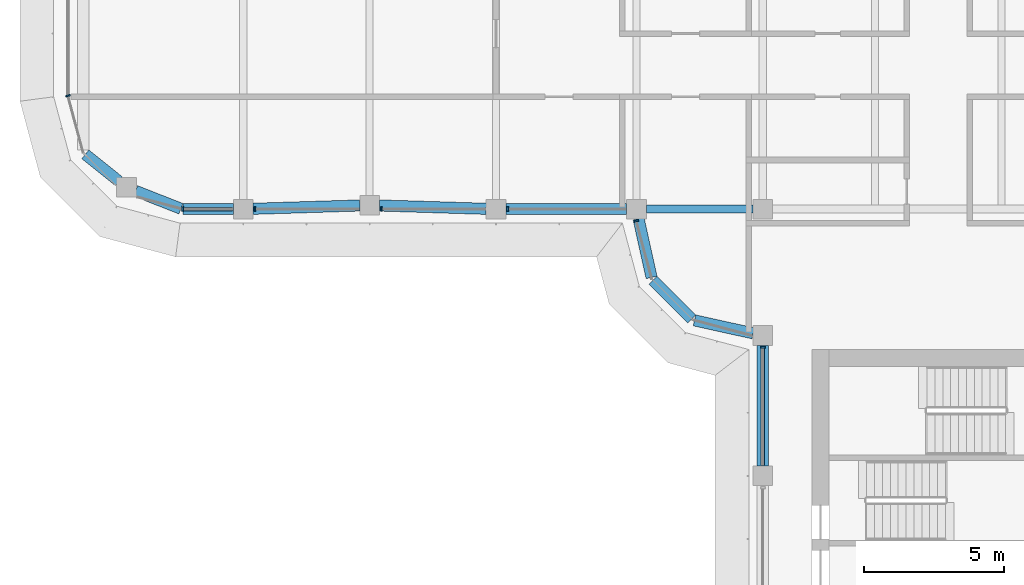
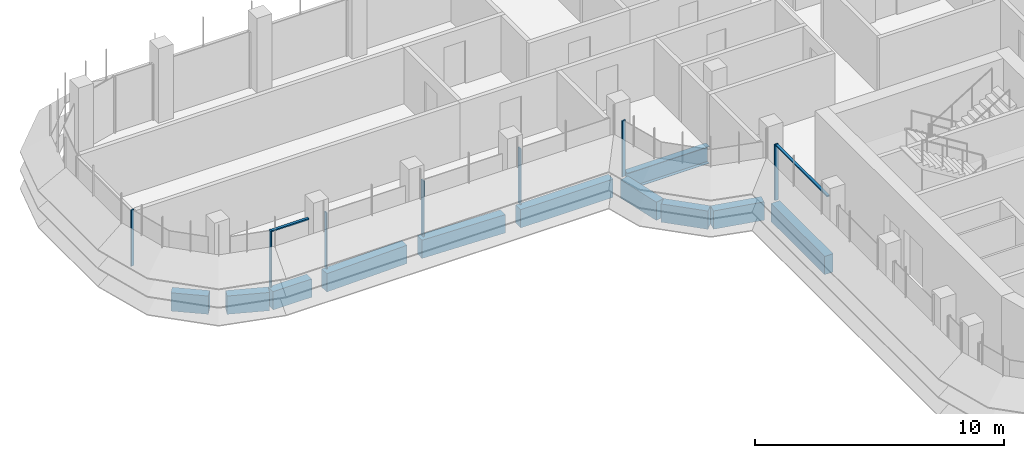
# One storey, part 3 of 19: 11 beams, 9 members, 4 elements without a shape of their own.
"""IFC4 building model written with IfcOpenShell, lengths in metres."""

from ifc_helpers import new_model, si_unit, direction, frame, origin, origin_2d, place, context, subcontext, project, spatial, polyline, rectangle, i_section, outline, extrude, source, transform, mapped, material, material_profile, profile_set, type_object, element, aggregate, save


model = new_model("IFC4")

# Units and contexts
model_context = context("Model", 3, precision=1e-05, world=origin(), true_north=direction((0.0, 1.0)))
body_context = subcontext(model_context, "Body", "Model", "MODEL_VIEW")
ifc_project = project(units=[si_unit("LENGTHUNIT", "METRE"), si_unit("AREAUNIT", "SQUARE_METRE"), si_unit("VOLUMEUNIT", "CUBIC_METRE"), si_unit("PLANEANGLEUNIT", "RADIAN"), si_unit("MASSUNIT", "GRAM", prefix="KILO")], contexts=[model_context])

# Site, building, storey
site_placement = place(None, origin())
site = spatial("IfcSite", under=ifc_project, at=site_placement, CompositionType="ELEMENT")
building_placement = place(site_placement, origin())
building = spatial("IfcBuilding", under=site, at=building_placement, Name="Zarbagh Exchange Tower", CompositionType="ELEMENT")
storey_placement = place(building_placement, frame((0.0, 0.0, 195.39990234375)))
storey = spatial("IfcBuildingStorey", under=building, at=storey_placement, Name="L47", CompositionType="ELEMENT", Elevation=195.39990234375)

# Beams
ifc_material_1 = material(Name="Steel ASTM A992 Gr 50", Category="steel")
ifc_material_profile_1 = material_profile(ifc_material_1, i_section(OverallWidth=0.2919921875, OverallDepth=0.835693359375, WebThickness=0.013916015625, FlangeThickness=0.018798828125, at=origin_2d()), Name="W33X118")
ifc_profile_set_1 = profile_set([ifc_material_profile_1], Name="Steel ASTM A992 Gr 50")
beam_type_1 = type_object("IfcBeamType", Name="Floor girder W33X118", PredefinedType="BEAM", material=ifc_profile_set_1)
beam_1_placement = place(storey_placement, frame((-10.39990234375, -6.25, -0.567626953125), z_axis=(1.0, 0.0, 0.0), x_axis=(0.0, 1.0, 0.0)))
element("IfcBeam", 1, at=beam_1_placement, inside=storey, type_object=beam_type_1, Name="Steel girder", PredefinedType="BEAM", context=body_context, shape_type="SweptSolid", body=[
    extrude(i_section(OverallWidth=0.2919921875, OverallDepth=0.835693359375, WebThickness=0.013916015625, FlangeThickness=0.018798828125, at=origin_2d()), origin(), (0.0, 0.0, 1.0), 3.7998046875),
])
ifc_material_2 = material(Name="Concrete C50/60", Category="concrete")
ifc_material_profile_2 = material_profile(ifc_material_2, rectangle(XDim=0.39990234375, YDim=0.89990234375, at=origin_2d()), Name="RC spandrel beam 400 x 900 C50/60")
ifc_profile_set_2 = profile_set([ifc_material_profile_2], Name="Concrete C50/60")
beam_type_2 = type_object("IfcBeamType", Name="RC spandrel beam 400 x 900 C50/60", PredefinedType="SPANDREL", material=ifc_profile_set_2)
beam_2_placement = place(storey_placement, frame((-6.25, -15.39990234375, -0.599853515625), z_axis=(0.0, 1.0, 0.0), x_axis=(-1.0, 0.0, 0.0)))
element("IfcBeam", 2, at=beam_2_placement, inside=storey, type_object=beam_type_2, Name="RC spandrel beam", PredefinedType="SPANDREL", context=body_context, shape_type="SweptSolid", body=[
    extrude(rectangle(XDim=0.39990234375, YDim=0.89990234375, at=origin_2d()), origin(), (0.0, 0.0, 1.0), 4.2998046875),
])
beam_3_placement = place(storey_placement, frame((-6.591796875, -10.67431640625, -0.599853515625), z_axis=(-0.97639036545, 0.216013551096, 0.0), x_axis=(-0.216013551096, -0.97639036545, 0.0)))
element("IfcBeam", 3, at=beam_3_placement, inside=storey, type_object=beam_type_2, Name="RC spandrel beam", PredefinedType="SPANDREL", context=body_context, shape_type="SweptSolid", body=[
    extrude(rectangle(XDim=0.39990234375, YDim=0.89990234375, at=origin_2d()), origin(), (0.0, 0.0, 1.0), 2.142822265625),
])
beam_4_placement = place(storey_placement, frame((-8.782470703125, -10.15771484375, -0.599853515625), z_axis=(-0.707106781187, 0.707106781187, 0.0), x_axis=(-0.707106781187, -0.707106781187, 0.0)))
element("IfcBeam", 4, at=beam_4_placement, inside=storey, type_object=beam_type_2, Name="RC spandrel beam", PredefinedType="SPANDREL", context=body_context, shape_type="SweptSolid", body=[
    extrude(rectangle(XDim=0.39990234375, YDim=0.89990234375, at=origin_2d()), origin(), (0.0, 0.0, 1.0), 1.94482421875),
])
beam_5_placement = place(storey_placement, frame((-10.21142578125, -8.68408203125, -0.599853515625), z_axis=(-0.216013551096, 0.97639036545, 0.0), x_axis=(-0.97639036545, -0.216013551096, 0.0)))
element("IfcBeam", 5, at=beam_5_placement, inside=storey, type_object=beam_type_2, Name="RC spandrel beam", PredefinedType="SPANDREL", context=body_context, shape_type="SweptSolid", body=[
    extrude(rectangle(XDim=0.39990234375, YDim=0.89990234375, at=origin_2d()), origin(), (0.0, 0.0, 1.0), 2.142822265625),
])
beam_6_placement = place(storey_placement, frame((-11.10009765625, -6.25, -0.599853515625), z_axis=(-1.0, 0.0, 0.0), x_axis=(0.0, -1.0, 0.0)))
element("IfcBeam", 6, at=beam_6_placement, inside=storey, type_object=beam_type_2, Name="RC spandrel beam", PredefinedType="SPANDREL", context=body_context, shape_type="SweptSolid", body=[
    extrude(rectangle(XDim=0.39990234375, YDim=0.89990234375, at=origin_2d()), origin(), (0.0, 0.0, 1.0), 4.2998046875),
])
for number, where, z_axis, x_axis, name in (
    (7, (-16.099853515625, -6.239013671875, -0.599853515625), (-0.999516950199, 0.031078389046, 0.0), (-0.031078389046, -0.999516950199, 0.0), "RC spandrel beam"),
    (8, (-20.599853515625, -6.120849609375, -0.599853515625), (-0.999516950199, -0.031078389046, 0.0), (0.031078389046, -0.999516950199, 0.0), "RC spandrel beam"),
):
    element("IfcBeam", number, at=place(storey_placement, frame(where, z_axis=z_axis, x_axis=x_axis)), inside=storey, type_object=beam_type_2, Name=name, PredefinedType="SPANDREL", context=body_context, shape_type="SweptSolid", body=[
        extrude(rectangle(XDim=0.39990234375, YDim=0.89990234375, at=origin_2d()), origin(), (0.0, 0.0, 1.0), 3.80224609375),
    ])
beam_7_placement = place(storey_placement, frame((-25.10009765625, -6.25, -0.599853515625), z_axis=(-1.0, 0.0, 0.0), x_axis=(0.0, -1.0, 0.0)))
element("IfcBeam", 9, at=beam_7_placement, inside=storey, type_object=beam_type_2, Name="RC spandrel beam", PredefinedType="SPANDREL", context=body_context, shape_type="SweptSolid", body=[
    extrude(rectangle(XDim=0.39990234375, YDim=0.89990234375, at=origin_2d()), origin(), (0.0, 0.0, 1.0), 1.796142578125),
])
beam_8_placement = place(storey_placement, frame((-26.969482421875, -6.236083984375, -0.599853515625), z_axis=(-0.930809711446, 0.365504146457, 0.0), x_axis=(-0.365504146457, -0.930809711446, 0.0)))
element("IfcBeam", 10, at=beam_8_placement, inside=storey, type_object=beam_type_2, Name="RC spandrel beam", PredefinedType="SPANDREL", context=body_context, shape_type="SweptSolid", body=[
    extrude(rectangle(XDim=0.39990234375, YDim=0.89990234375, at=origin_2d()), origin(), (0.0, 0.0, 1.0), 1.732666015625),
])
beam_9_placement = place(storey_placement, frame((-29.18115234375, -5.256103515625, -0.599853515625), z_axis=(-0.780634897504, 0.62498732531, 0.0), x_axis=(-0.62498732531, -0.780634897504, 0.0)))
element("IfcBeam", 11, at=beam_9_placement, inside=storey, type_object=beam_type_2, Name="RC spandrel beam", PredefinedType="SPANDREL", context=body_context, shape_type="SweptSolid", body=[
    extrude(rectangle(XDim=0.39990234375, YDim=0.89990234375, at=origin_2d()), origin(), (0.0, 0.0, 1.0), 1.52783203125),
])

# Curtain wall, member
ifc_material_3 = material(Name="Anodised aluminium frame and glazing", Category="aluminium")
curtain_wall_type = type_object("IfcCurtainWallType", Name="CWB Ribbon glazing, upper zones", PredefinedType="NOTDEFINED", material=ifc_material_3)
curtain_wall_1_placement = place(storey_placement, origin())
curtain_wall_1 = element("IfcCurtainWall", 12, at=curtain_wall_1_placement, inside=storey, type_object=curtain_wall_type, Name="CWB62 curtain wall", PredefinedType="NOTDEFINED")
ifc_material_4 = material(Name="Anodised aluminium frame", Category="aluminium")
member_type_1 = type_object("IfcMemberType", Name="MUB Mullion, anodised aluminium frame", PredefinedType="MULLION", material=ifc_material_4)
shared_shape_1 = source(origin(), body_context, "Body", "SweptSolid", [
    extrude(outline(polyline([(0.0, -0.080078125), (0.06005859375, -0.080078125), (0.06005859375, 0.080078125), (0.0, 0.080078125), (0.0, -0.080078125)])), origin(), (0.0, 0.0, 1.0), 2.75),
])
placement = place(storey_placement, origin())
member_1 = element("IfcMember", 13, at=placement, type_object=member_type_1, Name="CWB62 mullion 1.1", PredefinedType="MULLION", context=body_context, shape_type="MappedRepresentation", body=[
    mapped(shared_shape_1, transform((-31.0, -2.18408203125, 0.0), x_axis=(0.258824779902, -0.965924289636, 0.0), y_axis=(0.965924289636, 0.258824779902, 0.0), z_axis=(0.0, 0.0, 1.0))),
])
aggregate(curtain_wall_1, [member_1])

# Curtain wall, members
curtain_wall_2_placement = place(storey_placement, origin())
curtain_wall_2 = element("IfcCurtainWall", 14, at=curtain_wall_2_placement, inside=storey, type_object=curtain_wall_type, Name="CWB65 curtain wall", PredefinedType="NOTDEFINED")
member_2 = element("IfcMember", 15, at=placement, type_object=member_type_1, Name="CWB65 mullion 1.1", PredefinedType="MULLION", context=body_context, shape_type="MappedRepresentation", body=[
    mapped(shared_shape_1, transform((-26.93408203125, -6.25, 0.0), x_axis=(1.0, 0.0, 0.0), y_axis=(0.0, 1.0, 0.0), z_axis=(0.0, 0.0, 1.0))),
])
member_3 = element("IfcMember", 16, at=placement, type_object=member_type_1, Name="CWB65 mullion 2.1", PredefinedType="MULLION", context=body_context, shape_type="MappedRepresentation", body=[
    mapped(shared_shape_1, transform((-24.35986328125, -6.25, 0.0), x_axis=(1.0, 0.0, 0.0), y_axis=(0.0, 1.0, 0.0), z_axis=(0.0, 0.0, 1.0))),
])
member_4 = element("IfcMember", 17, at=placement, type_object=member_type_1, Name="CWB65 mullion 3.1", PredefinedType="MULLION", context=body_context, shape_type="MappedRepresentation", body=[
    mapped(shared_shape_1, transform((-19.85986328125, -6.25, 0.0), x_axis=(1.0, 0.0, 0.0), y_axis=(0.0, 1.0, 0.0), z_axis=(0.0, 0.0, 1.0))),
])
member_5 = element("IfcMember", 18, at=placement, type_object=member_type_1, Name="CWB65 mullion 4.1", PredefinedType="MULLION", context=body_context, shape_type="MappedRepresentation", body=[
    mapped(shared_shape_1, transform((-15.35986328125, -6.25, 0.0), x_axis=(1.0, 0.0, 0.0), y_axis=(0.0, 1.0, 0.0), z_axis=(0.0, 0.0, 1.0))),
])

# Curtain wall, member
curtain_wall_3_placement = place(storey_placement, origin())
curtain_wall_3 = element("IfcCurtainWall", 19, at=curtain_wall_3_placement, inside=storey, type_object=curtain_wall_type, Name="CWB41 curtain wall", PredefinedType="NOTDEFINED")
member_6 = element("IfcMember", 20, at=placement, type_object=member_type_1, Name="CWB41 mullion 1.1", PredefinedType="MULLION", context=body_context, shape_type="MappedRepresentation", body=[
    mapped(shared_shape_1, transform((-10.76171875, -6.64013671875, 0.0), x_axis=(0.258824779902, -0.965924289636, 0.0), y_axis=(0.965924289636, 0.258824779902, 0.0), z_axis=(0.0, 0.0, 1.0))),
])
aggregate(curtain_wall_3, [member_6])

curtain_wall_4_placement = place(storey_placement, origin())
curtain_wall_4 = element("IfcCurtainWall", 21, at=curtain_wall_4_placement, inside=storey, type_object=curtain_wall_type, Name="CWB53 curtain wall", PredefinedType="NOTDEFINED")
member_7 = element("IfcMember", 22, at=placement, type_object=member_type_1, Name="CWB53 mullion 1.1", PredefinedType="MULLION", context=body_context, shape_type="MappedRepresentation", body=[
    mapped(shared_shape_1, transform((-6.25, -11.14013671875, 0.0), x_axis=(0.0, -1.0, 0.0), y_axis=(1.0, 0.0, 0.0), z_axis=(0.0, 0.0, 1.0))),
])

# Member
member_type_2 = type_object("IfcMemberType", Name="TRB Transom, anodised aluminium frame", PredefinedType="USERDEFINED", material=ifc_material_4)
shared_shape_2 = source(origin(), body_context, "Body", "SweptSolid", [
    extrude(outline(polyline([(-0.06005859375, -0.06005859375), (0.0, -0.06005859375), (0.0, 0.06005859375), (-0.06005859375, 0.06005859375), (-0.06005859375, -0.06005859375)])), origin(), (0.0, 0.0, 1.0), 1.734130859375),
])
member_8 = element("IfcMember", 23, at=placement, type_object=member_type_2, Name="CWB65 transom 1.1", ObjectType="TRANSOM", PredefinedType="USERDEFINED", context=body_context, shape_type="MappedRepresentation", body=[
    mapped(shared_shape_2, transform((-26.874267578125, -6.25, 2.75), x_axis=(0.0, 0.0, 1.0), y_axis=(0.0, -1.0, 0.0), z_axis=(1.0, 0.0, 0.0))),
])

aggregate(curtain_wall_2, [member_2, member_8, member_3, member_4, member_5])

shared_shape_3 = source(origin(), body_context, "Body", "SweptSolid", [
    extrude(outline(polyline([(-0.06005859375, -0.06005859375), (0.0, -0.06005859375), (0.0, 0.06005859375), (-0.06005859375, 0.06005859375), (-0.06005859375, -0.06005859375)])), origin(), (0.0, 0.0, 1.0), 4.159912109375),
])
member_9 = element("IfcMember", 24, at=placement, type_object=member_type_2, Name="CWB53 transom 1.1", ObjectType="TRANSOM", PredefinedType="USERDEFINED", context=body_context, shape_type="MappedRepresentation", body=[
    mapped(shared_shape_3, transform((-6.25, -11.199951171875, 2.75), x_axis=(0.0, 0.0, 1.0), y_axis=(-1.0, 0.0, 0.0), z_axis=(0.0, -1.0, 0.0))),
])

aggregate(curtain_wall_4, [member_7, member_9])

save(model, "model.ifc")
